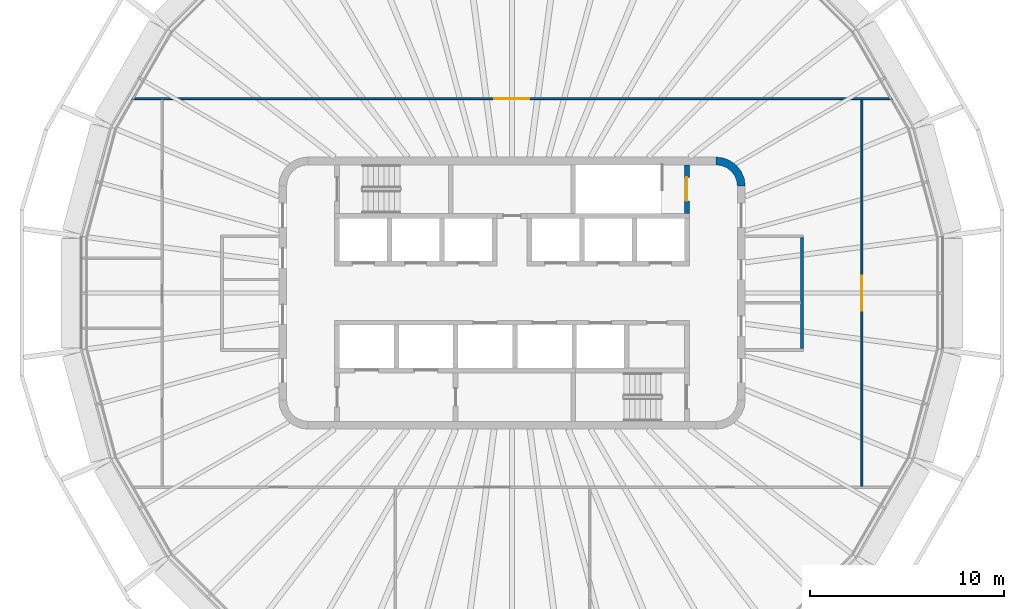
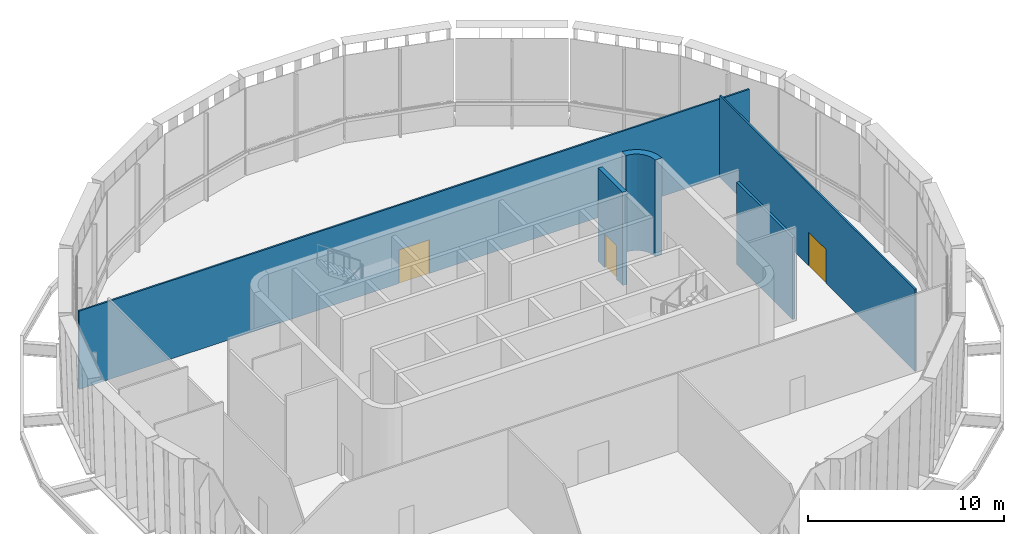
# One storey, part 8 of 14: 5 walls, 3 doors, 3 openings.
"""IFC4 building model written with IfcOpenShell, lengths in metres."""

from ifc_helpers import new_model, si_unit, direction, frame, frame_2d, origin, place, context, subcontext, project, spatial, polyline, rectangle, outline, extrude, material, layer, layer_set, type_object, element, fill, save


model = new_model("IFC4")

# Units and contexts
model_context = context("Model", 3, precision=1e-05, world=origin(), true_north=direction((0.0, 1.0)))
body_context = subcontext(model_context, "Body", "Model", "MODEL_VIEW")
ifc_project = project(units=[si_unit("LENGTHUNIT", "METRE"), si_unit("AREAUNIT", "SQUARE_METRE"), si_unit("VOLUMEUNIT", "CUBIC_METRE"), si_unit("PLANEANGLEUNIT", "RADIAN"), si_unit("MASSUNIT", "GRAM", prefix="KILO")], contexts=[model_context])

# Site, building, storey
site_placement = place(None, origin())
site = spatial("IfcSite", under=ifc_project, at=site_placement, CompositionType="ELEMENT")
building_placement = place(site_placement, origin())
building = spatial("IfcBuilding", under=site, at=building_placement, Name="Sahrelin Media Tower", CompositionType="ELEMENT")
storey_placement = place(building_placement, frame((0.0, 0.0, 329.800048828125)))
storey = spatial("IfcBuildingStorey", under=building, at=storey_placement, Name="L73", CompositionType="ELEMENT", Elevation=329.800048828125)

# Walls
ifc_material_1 = material(Name="Concrete C60/75", Category="concrete")
ifc_layer_1 = layer(ifc_material_1, 0.39990234375)
ifc_layer_set_1 = layer_set([ifc_layer_1], Name="Core wall 400")
wall_type_1 = type_object("IfcWallType", Name="Core wall 400", PredefinedType="SHEAR", material=ifc_layer_set_1)
wall_1_placement = place(storey_placement, origin())
element("IfcWall", 1, at=wall_1_placement, inside=storey, type_object=wall_type_1, Name="Core wall corner NE L73", PredefinedType="SHEAR", context=body_context, shape_type="SweptSolid", body=[
    extrude(outline(polyline([(10.5, 7.0), (10.5, 6.596435546875), (10.78369140625, 6.55908203125), (11.04833984375, 6.44970703125), (11.275390625, 6.275390625), (11.44970703125, 6.04833984375), (11.55908203125, 5.78369140625), (11.596435546875, 5.5), (12.0, 5.5), (11.948974609375, 5.88818359375), (11.799072265625, 6.25), (11.560791015625, 6.560791015625), (11.25, 6.799072265625), (10.88818359375, 6.948974609375), (10.5, 7.0)])), origin(), (0.0, 0.0, 1.0), 6.0),
])
ifc_material_2 = material(Name="Fire-rated gypsum board partition")
ifc_layer_2 = layer(ifc_material_2, 0.14990234375)
ifc_layer_set_2 = layer_set([ifc_layer_2], Name="Fire-rated partition 150")
wall_type_2 = type_object("IfcWallType", Name="Fire-rated partition 150", PredefinedType="PARTITIONING", material=ifc_layer_set_2)
wall_2_placement = place(storey_placement, frame((14.925048828125, -2.85009765625, 0.0), z_axis=(0.0, 0.0, 1.0), x_axis=(0.0, 1.0, 0.0)))
element("IfcWall", 2, at=wall_2_placement, inside=storey, type_object=wall_type_2, Name="Core room fire partition", PredefinedType="PARTITIONING", context=body_context, shape_type="SweptSolid", body=[
    extrude(rectangle(XDim=5.7001953125, YDim=0.14990234375, at=frame_2d((2.85009765625, 0.0))), origin(), (0.0, 0.0, 1.0), 5.10205078125),
])

# Wall, opening, door
ifc_material_3 = material(Name="Gypsum board partition")
ifc_layer_3 = layer(ifc_material_3, 0.10009765625)
ifc_layer_set_3 = layer_set([ifc_layer_3], Name="Partition 100")
wall_type_3 = type_object("IfcWallType", Name="Partition 100", PredefinedType="PARTITIONING", material=ifc_layer_set_3)
wall_3_placement = place(storey_placement, frame((-19.711669921875, 10.0, 0.0), z_axis=(0.0, 0.0, 1.0), x_axis=(1.0, 0.0, 0.0)))
wall_3 = element("IfcWall", 3, at=wall_3_placement, inside=storey, type_object=wall_type_3, Name="Wall", PredefinedType="PARTITIONING", context=body_context, shape_type="SweptSolid", body=[
    extrude(rectangle(XDim=39.42333984375, YDim=0.10009765625, at=frame_2d((19.711669921875, 0.0))), origin(), (0.0, 0.0, 1.0), 4.8681640625),
])
opening_1_placement = place(wall_3_placement, frame((18.800048828125, 0.0, 0.0)))
opening_1 = element("IfcOpeningElement", 4, at=opening_1_placement, cuts=wall_3, Name="Opening L73-D16", PredefinedType="OPENING", context=body_context, shape_type="SweptSolid", body=[
    extrude(rectangle(XDim=1.800048828125, YDim=2.10009765625, at=frame_2d((0.89990234375, 1.050048828125))), frame((0.0, 0.050048828125, 0.0), z_axis=(0.0, -1.0, 0.0), x_axis=(1.0, 0.0, 0.0)), (0.0, 0.0, 1.0), 0.10009765625),
])
ifc_material_4 = material(Name="Timber door leaf", Category="wood")
door_type_1 = type_object("IfcDoorType", Name="Double door 1800 x 2100", OperationType="DOUBLE_DOOR_SINGLE_SWING", PredefinedType="DOOR", material=ifc_material_4)
door_1_placement = place(opening_1_placement, origin())
door_1 = element("IfcDoor", 5, at=door_1_placement, inside=storey, type_object=door_type_1, Name="Double door", OperationType="DOUBLE_DOOR_SINGLE_SWING", OverallHeight=2.10009765625, OverallWidth=1.800048828125, PredefinedType="DOOR", context=body_context, shape_type="SweptSolid", body=[
    extrude(rectangle(XDim=1.800048828125, YDim=2.10009765625, at=frame_2d((0.89990234375, 1.050048828125))), frame((0.0, 0.02490234375, 0.0), z_axis=(0.0, -1.0, 0.0), x_axis=(1.0, 0.0, 0.0)), (0.0, 0.0, 1.0), 0.050048828125),
])
fill(opening_1, door_1)

wall_4_placement = place(storey_placement, frame((18.0, -9.949951171875, 0.0), z_axis=(0.0, 0.0, 1.0), x_axis=(0.0, 1.0, 0.0)))
wall_4 = element("IfcWall", 6, at=wall_4_placement, inside=storey, type_object=wall_type_3, Name="Wall", PredefinedType="PARTITIONING", context=body_context, shape_type="SweptSolid", body=[
    extrude(rectangle(XDim=19.89990234375, YDim=0.10009765625, at=frame_2d((9.949951171875, 0.0))), origin(), (0.0, 0.0, 1.0), 5.10205078125),
])
opening_2_placement = place(wall_4_placement, frame((9.050048828125, 0.0, 0.0)))
opening_2 = element("IfcOpeningElement", 7, at=opening_2_placement, cuts=wall_4, Name="Opening L73-D20", PredefinedType="OPENING", context=body_context, shape_type="SweptSolid", body=[
    extrude(rectangle(XDim=1.800048828125, YDim=2.10009765625, at=frame_2d((0.89990234375, 1.050048828125))), frame((0.0, 0.050048828125, 0.0), z_axis=(0.0, -1.0, 0.0), x_axis=(1.0, 0.0, 0.0)), (0.0, 0.0, 1.0), 0.10009765625),
])
door_2_placement = place(opening_2_placement, origin())
door_2 = element("IfcDoor", 8, at=door_2_placement, inside=storey, type_object=door_type_1, Name="Double door", OperationType="DOUBLE_DOOR_SINGLE_SWING", OverallHeight=2.10009765625, OverallWidth=1.800048828125, PredefinedType="DOOR", context=body_context, shape_type="SweptSolid", body=[
    extrude(rectangle(XDim=1.800048828125, YDim=2.10009765625, at=frame_2d((0.89990234375, 1.050048828125))), frame((0.0, 0.02490234375, 0.0), z_axis=(0.0, -1.0, 0.0), x_axis=(1.0, 0.0, 0.0)), (0.0, 0.0, 1.0), 0.050048828125),
])
fill(opening_2, door_2)

ifc_layer_4 = layer(ifc_material_1, 0.25)
ifc_layer_set_4 = layer_set([ifc_layer_4], Name="Stair enclosure wall 250")
wall_type_4 = type_object("IfcWallType", Name="Stair enclosure wall 250", PredefinedType="SOLIDWALL", material=ifc_layer_set_4)
wall_5_placement = place(storey_placement, frame((9.0, 4.10009765625, 0.0), z_axis=(0.0, 0.0, 1.0), x_axis=(0.0, 1.0, 0.0)))
wall_5 = element("IfcWall", 9, at=wall_5_placement, inside=storey, type_object=wall_type_4, Name="Stair enclosure wall", PredefinedType="SOLIDWALL", context=body_context, shape_type="SweptSolid", body=[
    extrude(rectangle(XDim=2.5, YDim=0.25, at=frame_2d((1.25, 0.0))), origin(), (0.0, 0.0, 1.0), 5.800048828125),
])
opening_3_placement = place(wall_5_placement, frame((0.64990234375, 0.0, 0.0)))
opening_3 = element("IfcOpeningElement", 10, at=opening_3_placement, cuts=wall_5, Name="Opening L73-D02", PredefinedType="OPENING", context=body_context, shape_type="SweptSolid", body=[
    extrude(rectangle(XDim=1.199951171875, YDim=2.10009765625, at=frame_2d((0.60009765625, 1.050048828125))), frame((0.0, 0.125, 0.0), z_axis=(0.0, -1.0, 0.0), x_axis=(1.0, 0.0, 0.0)), (0.0, 0.0, 1.0), 0.25),
])
ifc_material_5 = material(Name="Steel fire door leaf", Category="steel")
door_type_2 = type_object("IfcDoorType", Name="Stair door 1200 x 2100 EI 120", OperationType="NOTDEFINED", PredefinedType="DOOR", material=ifc_material_5)
door_3_placement = place(opening_3_placement, origin())
door_3 = element("IfcDoor", 11, at=door_3_placement, inside=storey, type_object=door_type_2, Name="Stair door ST3", OperationType="SINGLE_SWING_LEFT", OverallHeight=2.10009765625, OverallWidth=1.199951171875, PredefinedType="DOOR", context=body_context, shape_type="SweptSolid", body=[
    extrude(rectangle(XDim=1.199951171875, YDim=2.10009765625, at=frame_2d((0.60009765625, 1.050048828125))), frame((0.0, 0.02490234375, 0.0), z_axis=(0.0, -1.0, 0.0), x_axis=(1.0, 0.0, 0.0)), (0.0, 0.0, 1.0), 0.050048828125),
])
fill(opening_3, door_3)

save(model, "model.ifc")
